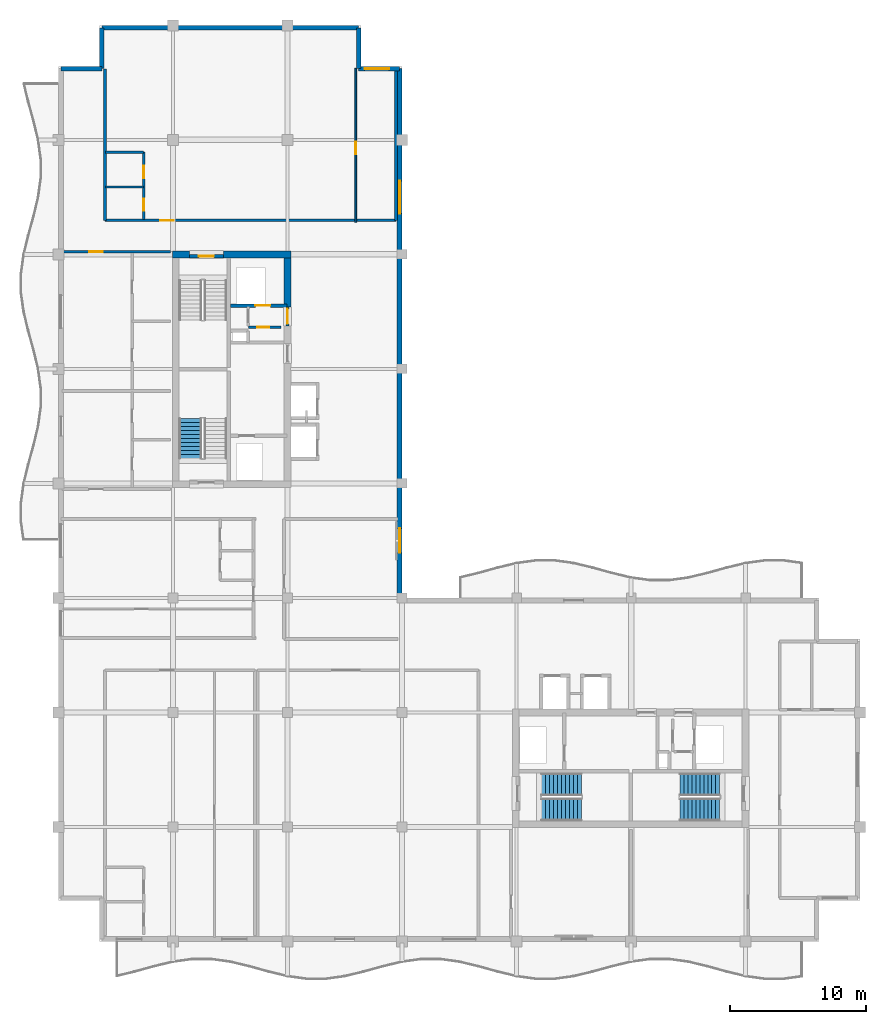
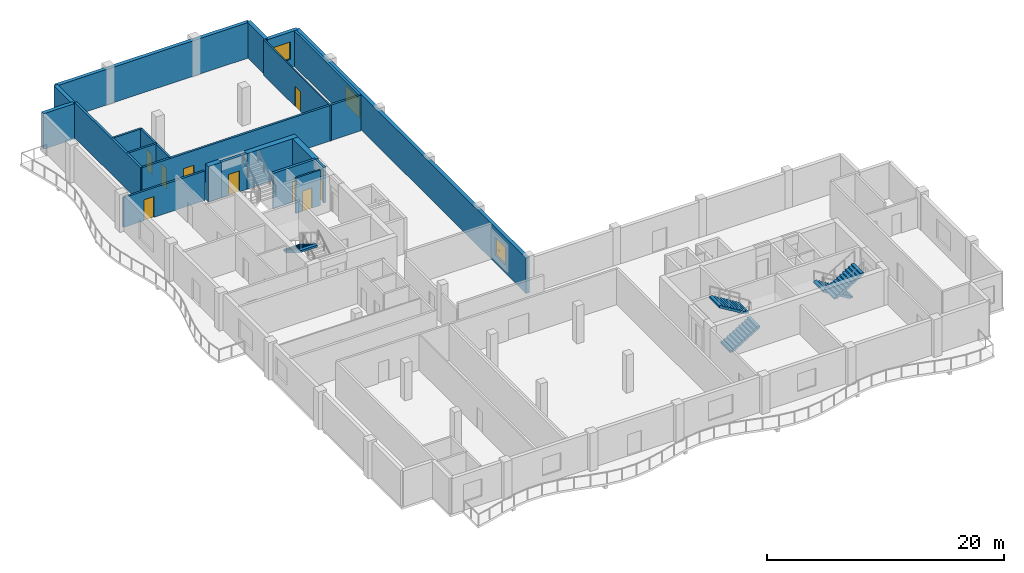
# One storey, part 7 of 11: 21 walls, 9 doors, 5 stair flights, 3 windows, 12 openings, 3 elements without a shape of their own.
"""IFC4 building model written with IfcOpenShell, lengths in metres."""

from ifc_helpers import new_model, si_unit, direction, frame, frame_2d, origin, place, context, subcontext, project, spatial, polyline, rectangle, outline, extrude, material, layer, layer_set, type_object, element, fill, aggregate, save


model = new_model("IFC4")

# Units and contexts
model_context = context("Model", 3, precision=1e-05, world=origin(), true_north=direction((0.0, 1.0)))
body_context = subcontext(model_context, "Body", "Model", "MODEL_VIEW")
ifc_project = project(units=[si_unit("LENGTHUNIT", "METRE"), si_unit("AREAUNIT", "SQUARE_METRE"), si_unit("VOLUMEUNIT", "CUBIC_METRE"), si_unit("PLANEANGLEUNIT", "RADIAN"), si_unit("MASSUNIT", "GRAM", prefix="KILO")], contexts=[model_context])

# Site, building, storey
site_placement = place(None, origin())
site = spatial("IfcSite", under=ifc_project, at=site_placement, CompositionType="ELEMENT")
building_placement = place(site_placement, origin())
building = spatial("IfcBuilding", under=site, at=building_placement, Name="Koriwani Terraces Tower", CompositionType="ELEMENT")
storey_placement = place(building_placement, frame((0.0, 0.0, 343.699951171875)))
storey = spatial("IfcBuildingStorey", under=building, at=storey_placement, Name="L85", CompositionType="ELEMENT", Elevation=343.699951171875)

# Walls
ifc_material_1 = material(Name="Concrete C50/60", Category="concrete")
ifc_layer_1 = layer(ifc_material_1, 0.5, Name="Concrete C50/60")
ifc_layer_set_1 = layer_set([ifc_layer_1], Name="Concrete C50/60")
wall_type_1 = type_object("IfcWallType", Name="WALL_CORE_RC_500", PredefinedType="SHEAR", material=ifc_layer_set_1)
wall_1_placement = place(storey_placement, frame((16.75, 58.800048828125, 0.0), z_axis=(0.0, 0.0, 1.0), x_axis=(1.0, 0.0, 0.0)))
element("IfcWall", 1, at=wall_1_placement, inside=storey, type_object=wall_type_1, Name="L85 West Split Core Shear Wall N1", PredefinedType="SHEAR", context=body_context, shape_type="SweptSolid", body=[
    extrude(rectangle(XDim=1.25, YDim=0.5, at=frame_2d((0.625, 0.0))), origin(), (0.0, 0.0, 1.0), 3.670166015625),
])
wall_2_placement = place(storey_placement, frame((20.5, 58.800048828125, 0.0), z_axis=(0.0, 0.0, 1.0), x_axis=(1.0, 0.0, 0.0)))
element("IfcWall", 2, at=wall_2_placement, inside=storey, type_object=wall_type_1, Name="L85 West Split Core Shear Wall N2", PredefinedType="SHEAR", context=body_context, shape_type="SweptSolid", body=[
    extrude(rectangle(XDim=4.949951171875, YDim=0.5, at=frame_2d((2.47509765625, 0.0))), origin(), (0.0, 0.0, 1.0), 3.670166015625),
])
wall_3_placement = place(storey_placement, frame((25.199951171875, 54.949951171875, 0.0), z_axis=(0.0, 0.0, 1.0), x_axis=(0.0, 1.0, 0.0)))
element("IfcWall", 3, at=wall_3_placement, inside=storey, type_object=wall_type_1, Name="L85 West Split Core Shear Wall E3", PredefinedType="SHEAR", context=body_context, shape_type="SweptSolid", body=[
    extrude(rectangle(XDim=3.60009765625, YDim=0.5, at=frame_2d((1.800048828125, 0.0))), origin(), (0.0, 0.0, 1.0), 3.670166015625),
])

# Wall, opening, door
ifc_material_2 = material(Name="Autoclaved Cellular Concrete Blockwork", Category="masonry")
ifc_layer_2 = layer(ifc_material_2, 0.199951171875, Name="Autoclaved Cellular Concrete Blockwork")
ifc_layer_set_2 = layer_set([ifc_layer_2], Name="Autoclaved Cellular Concrete Blockwork")
wall_type_2 = type_object("IfcWallType", Name="WALL_CORRIDOR_200", PredefinedType="PARTITIONING", material=ifc_layer_set_2)
wall_4_placement = place(storey_placement, frame((8.64990234375, 59.0, 0.0), z_axis=(0.0, 0.0, 1.0), x_axis=(1.0, 0.0, 0.0)))
wall_4 = element("IfcWall", 4, at=wall_4_placement, inside=storey, type_object=wall_type_2, Name="L85 Interior Wall WRZ4-WN-L85", PredefinedType="PARTITIONING", context=body_context, shape_type="SweptSolid", body=[
    extrude(rectangle(XDim=7.9501953125, YDim=0.199951171875, at=frame_2d((3.97509765625, 0.0))), origin(), (0.0, 0.0, 1.0), 3.052978515625),
])
opening_1_placement = place(wall_4_placement, frame((2.0, 0.0, 0.0)))
opening_1 = element("IfcOpeningElement", 5, at=opening_1_placement, cuts=wall_4, Name="Opening D-05", PredefinedType="OPENING", context=body_context, shape_type="SweptSolid", body=[
    extrude(rectangle(XDim=1.0, YDim=2.14990234375, at=frame_2d((0.5, 1.074951171875))), frame((0.0, 0.10986328125, 0.0), z_axis=(0.0, -1.0, 0.0), x_axis=(1.0, 0.0, 0.0)), (0.0, 0.0, 1.0), 0.219970703125),
])
ifc_material_3 = material(Name="Architectural Oak Fire Door", Category="wood")
door_type_1 = type_object("IfcDoorType", Name="DOOR_SUITE_ENTRY_1000X2150", OperationType="NOTDEFINED", PredefinedType="DOOR", material=ifc_material_3)
door_1_placement = place(opening_1_placement, origin())
door_1 = element("IfcDoor", 6, at=door_1_placement, inside=storey, type_object=door_type_1, Name="Apartment 85RW2 Entrance Door", OperationType="SINGLE_SWING_LEFT", OverallHeight=2.14990234375, OverallWidth=1.0, PredefinedType="DOOR", context=body_context, shape_type="SweptSolid", body=[
    extrude(rectangle(XDim=1.0, YDim=2.14990234375, at=frame_2d((0.5, 1.074951171875))), frame((0.0, 0.02490234375, 0.0), z_axis=(0.0, -1.0, 0.0), x_axis=(1.0, 0.0, 0.0)), (0.0, 0.0, 1.0), 0.050048828125),
])
fill(opening_1, door_1)

wall_5_placement = place(storey_placement, frame((11.800048828125, 61.300048828125, 0.0), z_axis=(0.0, 0.0, 1.0), x_axis=(1.0, 0.0, 0.0)))
wall_5 = element("IfcWall", 7, at=wall_5_placement, inside=storey, type_object=wall_type_2, Name="L85 Interior Wall WGB-L85-NT-S", PredefinedType="PARTITIONING", context=body_context, shape_type="SweptSolid", body=[
    extrude(rectangle(XDim=21.349853515625, YDim=0.199951171875, at=frame_2d((10.6748046875, 0.0))), origin(), (0.0, 0.0, 1.0), 3.670166015625),
])
opening_2_placement = place(wall_5_placement, frame((4.050048828125, 0.0, 0.0)))
opening_2 = element("IfcOpeningElement", 8, at=opening_2_placement, cuts=wall_5, Name="Opening D-05", PredefinedType="OPENING", context=body_context, shape_type="SweptSolid", body=[
    extrude(rectangle(XDim=1.0, YDim=2.14990234375, at=frame_2d((0.5, 1.074951171875))), frame((0.0, 0.10986328125, 0.0), z_axis=(0.0, -1.0, 0.0), x_axis=(1.0, 0.0, 0.0)), (0.0, 0.0, 1.0), 0.219970703125),
])
door_2_placement = place(opening_2_placement, origin())
door_2 = element("IfcDoor", 9, at=door_2_placement, inside=storey, type_object=door_type_1, Name="Apartment 85NT Entrance Door", OperationType="SINGLE_SWING_LEFT", OverallHeight=2.14990234375, OverallWidth=1.0, PredefinedType="DOOR", context=body_context, shape_type="SweptSolid", body=[
    extrude(rectangle(XDim=1.0, YDim=2.14990234375, at=frame_2d((0.5, 1.074951171875))), frame((0.0, 0.02490234375, 0.0), z_axis=(0.0, -1.0, 0.0), x_axis=(1.0, 0.0, 0.0)), (0.0, 0.0, 1.0), 0.050048828125),
])
fill(opening_2, door_2)

# Walls
ifc_layer_3 = layer(ifc_material_2, 0.219970703125, Name="Autoclaved Cellular Concrete Blockwork")
ifc_layer_set_3 = layer_set([ifc_layer_3], Name="Autoclaved Cellular Concrete Blockwork")
wall_type_3 = type_object("IfcWallType", Name="WALL_DEMISING_220", PredefinedType="PARTITIONING", material=ifc_layer_set_3)
for number, where, z_axis, x_axis, name in (
    (10, (33.14990234375, 61.300048828125, 0.0), (0.0, 0.0, 1.0), (0.0, 1.0, 0.0), "L85 Interior Wall WGB-L85-NT-E"),
    (11, (11.800048828125, 61.300048828125, 0.0), (0.0, 0.0, 1.0), (0.0, 1.0, 0.0), "L85 Interior Wall WGB-L85-NT-W"),
):
    element("IfcWall", number, at=place(storey_placement, frame(where, z_axis=z_axis, x_axis=x_axis)), inside=storey, type_object=wall_type_3, Name=name, PredefinedType="PARTITIONING", context=body_context, shape_type="SweptSolid", body=[
        extrude(rectangle(XDim=11.099853515625, YDim=0.219970703125, at=frame_2d((5.5498046875, 0.0))), origin(), (0.0, 0.0, 1.0), 3.670166015625),
    ])
ifc_layer_4 = layer(ifc_material_1, 0.35009765625, Name="Concrete C50/60")
ifc_layer_set_4 = layer_set([ifc_layer_4], Name="Concrete C50/60")
wall_type_4 = type_object("IfcWallType", Name="WALL_EXT_BRUTALIST_350", PredefinedType="STANDARD", material=ifc_layer_set_4)
for number, where, z_axis, x_axis, name in (
    (12, (8.574951171875, 72.425048828125, 0.0), (0.0, 0.0, 1.0), (1.0, 0.0, 0.0), "L85 Fair-Faced Brutalist Exterior Wall (N3)"),
    (13, (11.574951171875, 72.425048828125, 0.0), (0.0, 0.0, 1.0), (0.0, 1.0, 0.0), "L85 Fair-Faced Brutalist Exterior Wall (N4)"),
):
    element("IfcWall", number, at=place(storey_placement, frame(where, z_axis=z_axis, x_axis=x_axis)), inside=storey, type_object=wall_type_4, Name=name, PredefinedType="STANDARD", context=body_context, shape_type="SweptSolid", body=[
        extrude(rectangle(XDim=3.0, YDim=0.35009765625, at=frame_2d((1.5, 0.0))), origin(), (0.0, 0.0, 1.0), 3.670166015625),
    ])
wall_6_placement = place(storey_placement, frame((11.574951171875, 75.425048828125, 0.0), z_axis=(0.0, 0.0, 1.0), x_axis=(1.0, 0.0, 0.0)))
element("IfcWall", 14, at=wall_6_placement, inside=storey, type_object=wall_type_4, Name="L85 Fair-Faced Brutalist Exterior Wall (N_TIP)", PredefinedType="STANDARD", context=body_context, shape_type="SweptSolid", body=[
    extrude(rectangle(XDim=18.85009765625, YDim=0.35009765625, at=frame_2d((9.425048828125, 0.0))), origin(), (0.0, 0.0, 1.0), 3.670166015625),
])
wall_7_placement = place(storey_placement, frame((30.425048828125, 75.425048828125, 0.0), z_axis=(0.0, 0.0, 1.0), x_axis=(0.0, -1.0, 0.0)))
element("IfcWall", 15, at=wall_7_placement, inside=storey, type_object=wall_type_4, Name="L85 Fair-Faced Brutalist Exterior Wall (N6)", PredefinedType="STANDARD", context=body_context, shape_type="SweptSolid", body=[
    extrude(rectangle(XDim=3.0, YDim=0.35009765625, at=frame_2d((1.5, 0.0))), origin(), (0.0, 0.0, 1.0), 3.670166015625),
])

# Wall, opening, window
wall_8_placement = place(storey_placement, frame((30.425048828125, 72.425048828125, 0.0), z_axis=(0.0, 0.0, 1.0), x_axis=(1.0, 0.0, 0.0)))
wall_8 = element("IfcWall", 16, at=wall_8_placement, inside=storey, type_object=wall_type_4, Name="L85 Fair-Faced Brutalist Exterior Wall (N7)", PredefinedType="STANDARD", context=body_context, shape_type="SweptSolid", body=[
    extrude(rectangle(XDim=3.0, YDim=0.35009765625, at=frame_2d((1.5, 0.0))), origin(), (0.0, 0.0, 1.0), 3.670166015625),
])
opening_3_placement = place(wall_8_placement, frame((0.4375, 0.0, 0.85009765625)))
opening_3 = element("IfcOpeningElement", 17, at=opening_3_placement, cuts=wall_8, Name="Opening W-04", PredefinedType="OPENING", context=body_context, shape_type="SweptSolid", body=[
    extrude(rectangle(XDim=1.800048828125, YDim=1.800048828125, at=frame_2d((0.89990234375, 0.89990234375))), frame((0.0, 0.18505859375, 0.0), z_axis=(0.0, -1.0, 0.0), x_axis=(1.0, 0.0, 0.0)), (0.0, 0.0, 1.0), 0.3701171875),
])
ifc_material_4 = material(Name="Tempered Laminated Low-E Glass", Category="glass")
window_type_1 = type_object("IfcWindowType", Name="WIN_RES_BED_1800X1800", PartitioningType="DOUBLE_PANEL_VERTICAL", PredefinedType="WINDOW", material=ifc_material_4)
window_1_placement = place(opening_3_placement, origin())
window_1 = element("IfcWindow", 18, at=window_1_placement, inside=storey, type_object=window_type_1, Name="L85 Exterior Window (N7-R43)", OverallHeight=1.800048828125, OverallWidth=1.800048828125, PartitioningType="SINGLE_PANEL", PredefinedType="WINDOW", context=body_context, shape_type="SweptSolid", body=[
    extrude(rectangle(XDim=1.800048828125, YDim=1.800048828125, at=frame_2d((0.89990234375, 0.89990234375))), frame((0.0, 0.030029296875, 0.0), z_axis=(0.0, -1.0, 0.0), x_axis=(1.0, 0.0, 0.0)), (0.0, 0.0, 1.0), 0.06005859375),
])
fill(opening_3, window_1)

# Wall, openings, windows
wall_9_placement = place(storey_placement, frame((33.425048828125, 72.425048828125, 0.0), z_axis=(0.0, 0.0, 1.0), x_axis=(0.0, -1.0, 0.0)))
wall_9 = element("IfcWall", 19, at=wall_9_placement, inside=storey, type_object=wall_type_4, Name="L85 Fair-Faced Brutalist Exterior Wall (NW_IN)", PredefinedType="STANDARD", context=body_context, shape_type="SweptSolid", body=[
    extrude(rectangle(XDim=39.0, YDim=0.35009765625, at=frame_2d((19.5, 0.0))), origin(), (0.0, 0.0, 1.0), 3.670166015625),
])
opening_4_placement = place(wall_9_placement, frame((33.72509765625, 0.0, 0.85009765625)))
opening_4 = element("IfcOpeningElement", 20, at=opening_4_placement, cuts=wall_9, Name="Opening W-04", PredefinedType="OPENING", context=body_context, shape_type="SweptSolid", body=[
    extrude(rectangle(XDim=1.800048828125, YDim=1.800048828125, at=frame_2d((0.89990234375, 0.89990234375))), frame((0.0, 0.18505859375, 0.0), z_axis=(0.0, -1.0, 0.0), x_axis=(1.0, 0.0, 0.0)), (0.0, 0.0, 1.0), 0.3701171875),
])
opening_5_placement = place(wall_9_placement, frame((8.22509765625, 0.0, 0.85009765625)))
opening_5 = element("IfcOpeningElement", 21, at=opening_5_placement, cuts=wall_9, Name="Opening W-03", PredefinedType="OPENING", context=body_context, shape_type="SweptSolid", body=[
    extrude(rectangle(XDim=2.39990234375, YDim=1.949951171875, at=frame_2d((1.199951171875, 0.97509765625))), frame((0.0, 0.18505859375, 0.0), z_axis=(0.0, -1.0, 0.0), x_axis=(1.0, 0.0, 0.0)), (0.0, 0.0, 1.0), 0.3701171875),
])
window_2_placement = place(opening_4_placement, origin())
window_2 = element("IfcWindow", 22, at=window_2_placement, inside=storey, type_object=window_type_1, Name="L85 Exterior Window (NW_IN-2)", OverallHeight=1.800048828125, OverallWidth=1.800048828125, PartitioningType="SINGLE_PANEL", PredefinedType="WINDOW", context=body_context, shape_type="SweptSolid", body=[
    extrude(rectangle(XDim=1.800048828125, YDim=1.800048828125, at=frame_2d((0.89990234375, 0.89990234375))), frame((0.0, 0.030029296875, 0.0), z_axis=(0.0, -1.0, 0.0), x_axis=(1.0, 0.0, 0.0)), (0.0, 0.0, 1.0), 0.06005859375),
])
fill(opening_4, window_2)
window_type_2 = type_object("IfcWindowType", Name="WIN_RES_LIVING_2400X1950", PartitioningType="DOUBLE_PANEL_VERTICAL", PredefinedType="WINDOW", material=ifc_material_4)
window_3_placement = place(opening_5_placement, origin())
window_3 = element("IfcWindow", 23, at=window_3_placement, inside=storey, type_object=window_type_2, Name="L85 Exterior Window (NW_IN-11)", OverallHeight=1.949951171875, OverallWidth=2.39990234375, PartitioningType="SINGLE_PANEL", PredefinedType="WINDOW", context=body_context, shape_type="SweptSolid", body=[
    extrude(rectangle(XDim=2.39990234375, YDim=1.949951171875, at=frame_2d((1.199951171875, 0.97509765625))), frame((0.0, 0.030029296875, 0.0), z_axis=(0.0, -1.0, 0.0), x_axis=(1.0, 0.0, 0.0)), (0.0, 0.0, 1.0), 0.06005859375),
])
fill(opening_5, window_3)

# Wall, opening, door
ifc_material_5 = material(Name="Fire-Rated Acoustic Gypsum Partition", Category="masonry")
ifc_layer_5 = layer(ifc_material_5, 0.125, Name="Fire-Rated Acoustic Gypsum Partition")
ifc_layer_set_5 = layer_set([ifc_layer_5], Name="Fire-Rated Acoustic Gypsum Partition")
wall_type_5 = type_object("IfcWallType", Name="WALL_INT_125", PredefinedType="PARTITIONING", material=ifc_layer_set_5)
wall_10_placement = place(storey_placement, frame((30.199951171875, 61.14990234375, 0.0), z_axis=(0.0, 0.0, 1.0), x_axis=(0.0, 1.0, 0.0)))
wall_10 = element("IfcWall", 24, at=wall_10_placement, inside=storey, type_object=wall_type_5, Name="L85 Interior Wall WGB-L85-NT-BD", PredefinedType="PARTITIONING", context=body_context, shape_type="SweptSolid", body=[
    extrude(rectangle(XDim=11.300048828125, YDim=0.125, at=frame_2d((5.64990234375, 0.0))), origin(), (0.0, 0.0, 1.0), 3.670166015625),
])
opening_6_placement = place(wall_10_placement, frame((4.9951171875, 0.0, 0.0)))
opening_6 = element("IfcOpeningElement", 25, at=opening_6_placement, cuts=wall_10, Name="Opening D-06", PredefinedType="OPENING", context=body_context, shape_type="SweptSolid", body=[
    extrude(rectangle(XDim=0.919921875, YDim=2.10009765625, at=frame_2d((0.4599609375, 1.050048828125))), frame((0.0, 0.072509765625, 0.0), z_axis=(0.0, -1.0, 0.0), x_axis=(1.0, 0.0, 0.0)), (0.0, 0.0, 1.0), 0.14501953125),
])
door_type_2 = type_object("IfcDoorType", Name="DOOR_ROOM_INT_920X2100", OperationType="NOTDEFINED", PredefinedType="DOOR", material=ifc_material_3)
door_3_placement = place(opening_6_placement, origin())
door_3 = element("IfcDoor", 26, at=door_3_placement, inside=storey, type_object=door_type_2, Name="Apartment 85NT Master Suite Door", OperationType="SINGLE_SWING_RIGHT", OverallHeight=2.10009765625, OverallWidth=0.919921875, PredefinedType="DOOR", context=body_context, shape_type="SweptSolid", body=[
    extrude(rectangle(XDim=0.919921875, YDim=2.10009765625, at=frame_2d((0.4599609375, 1.050048828125))), frame((0.0, 0.02490234375, 0.0), z_axis=(0.0, -1.0, 0.0), x_axis=(1.0, 0.0, 0.0)), (0.0, 0.0, 1.0), 0.050048828125),
])
fill(opening_6, door_3)

# Wall, openings, doors
ifc_layer_6 = layer(ifc_material_5, 0.179931640625, Name="Fire-Rated Acoustic Gypsum Partition")
ifc_layer_set_6 = layer_set([ifc_layer_6], Name="Fire-Rated Acoustic Gypsum Partition")
wall_type_6 = type_object("IfcWallType", Name="WALL_PLUMBING_180", PredefinedType="PLUMBINGWALL", material=ifc_layer_set_6)
wall_11_placement = place(storey_placement, frame((14.64990234375, 61.35009765625, 0.0), z_axis=(0.0, 0.0, 1.0), x_axis=(0.0, 1.0, 0.0)))
wall_11 = element("IfcWall", 27, at=wall_11_placement, inside=storey, type_object=wall_type_6, Name="L85 Interior Wall WGB-L85-NT-SVB", PredefinedType="PLUMBINGWALL", context=body_context, shape_type="SweptSolid", body=[
    extrude(rectangle(XDim=4.949951171875, YDim=0.179931640625, at=frame_2d((2.47509765625, 0.0))), origin(), (0.0, 0.0, 1.0), 3.670166015625),
])
opening_7_placement = place(wall_11_placement, frame((0.64990234375, 0.0, 0.0)))
opening_7 = element("IfcOpeningElement", 28, at=opening_7_placement, cuts=wall_11, Name="Opening D-07", PredefinedType="OPENING", context=body_context, shape_type="SweptSolid", body=[
    extrude(rectangle(XDim=0.89990234375, YDim=2.10009765625, at=frame_2d((0.449951171875, 1.050048828125))), frame((0.0, 0.10009765625, 0.0), z_axis=(0.0, -1.0, 0.0), x_axis=(1.0, 0.0, 0.0)), (0.0, 0.0, 1.0), 0.199951171875),
])
opening_8_placement = place(wall_11_placement, frame((3.050048828125, 0.0, 0.0)))
opening_8 = element("IfcOpeningElement", 29, at=opening_8_placement, cuts=wall_11, Name="Opening D-06", PredefinedType="OPENING", context=body_context, shape_type="SweptSolid", body=[
    extrude(rectangle(XDim=0.919921875, YDim=2.10009765625, at=frame_2d((0.4599609375, 1.050048828125))), frame((0.0, 0.10009765625, 0.0), z_axis=(0.0, -1.0, 0.0), x_axis=(1.0, 0.0, 0.0)), (0.0, 0.0, 1.0), 0.199951171875),
])
door_type_3 = type_object("IfcDoorType", Name="DOOR_BATH_INT_900X2100", OperationType="NOTDEFINED", PredefinedType="DOOR", material=ifc_material_3)
door_4_placement = place(opening_7_placement, origin())
door_4 = element("IfcDoor", 30, at=door_4_placement, inside=storey, type_object=door_type_3, Name="Apartment 85NT Bathroom Door", OperationType="SINGLE_SWING_RIGHT", OverallHeight=2.10009765625, OverallWidth=0.89990234375, PredefinedType="DOOR", context=body_context, shape_type="SweptSolid", body=[
    extrude(rectangle(XDim=0.89990234375, YDim=2.10009765625, at=frame_2d((0.449951171875, 1.050048828125))), frame((0.0, 0.02490234375, 0.0), z_axis=(0.0, -1.0, 0.0), x_axis=(1.0, 0.0, 0.0)), (0.0, 0.0, 1.0), 0.050048828125),
])
fill(opening_7, door_4)
door_5_placement = place(opening_8_placement, origin())
door_5 = element("IfcDoor", 31, at=door_5_placement, inside=storey, type_object=door_type_2, Name="Apartment 85NT Kitchen Door", OperationType="SINGLE_SWING_LEFT", OverallHeight=2.10009765625, OverallWidth=0.919921875, PredefinedType="DOOR", context=body_context, shape_type="SweptSolid", body=[
    extrude(rectangle(XDim=0.919921875, YDim=2.10009765625, at=frame_2d((0.4599609375, 1.050048828125))), frame((0.0, 0.02490234375, 0.0), z_axis=(0.0, -1.0, 0.0), x_axis=(1.0, 0.0, 0.0)), (0.0, 0.0, 1.0), 0.050048828125),
])
fill(opening_8, door_5)

# Walls
for number, where, z_axis, x_axis, name in (
    (32, (11.85009765625, 63.75, 0.0), (0.0, 0.0, 1.0), (1.0, 0.0, 0.0), "L85 Interior Wall WGB-L85-NT-SVM"),
    (33, (11.85009765625, 66.300048828125, 0.0), (0.0, 0.0, 1.0), (1.0, 0.0, 0.0), "L85 Interior Wall WGB-L85-NT-SV2"),
):
    element("IfcWall", number, at=place(storey_placement, frame(where, z_axis=z_axis, x_axis=x_axis)), inside=storey, type_object=wall_type_6, Name=name, PredefinedType="PLUMBINGWALL", context=body_context, shape_type="SweptSolid", body=[
        extrude(rectangle(XDim=2.7998046875, YDim=0.179931640625, at=frame_2d((1.39990234375, 0.0))), origin(), (0.0, 0.0, 1.0), 3.670166015625),
    ])

# Wall, opening, door
ifc_material_6 = material(Name="Concrete C40/50", Category="concrete")
ifc_layer_7 = layer(ifc_material_6, 0.25, Name="Concrete C40/50")
ifc_layer_set_7 = layer_set([ifc_layer_7], Name="Concrete C40/50")
wall_type_7 = type_object("IfcWallType", Name="WALL_SHAFT_RATED_250", PredefinedType="SOLIDWALL", material=ifc_layer_set_7)
wall_12_placement = place(storey_placement, frame((18.0, 58.675048828125, 0.0), z_axis=(0.0, 0.0, 1.0), x_axis=(1.0, 0.0, 0.0)))
wall_12 = element("IfcWall", 34, at=wall_12_placement, inside=storey, type_object=wall_type_7, Name="L85 Interior Wall WIN-CW-L85-STN", PredefinedType="SOLIDWALL", context=body_context, shape_type="SweptSolid", body=[
    extrude(rectangle(XDim=2.5, YDim=0.25, at=frame_2d((1.25, 0.0))), origin(), (0.0, 0.0, 1.0), 3.670166015625),
])
opening_9_placement = place(wall_12_placement, frame((0.699951171875, 0.0, 0.0)))
opening_9 = element("IfcOpeningElement", 35, at=opening_9_placement, cuts=wall_12, Name="Opening D-03", PredefinedType="OPENING", context=body_context, shape_type="SweptSolid", body=[
    extrude(rectangle(XDim=1.10009765625, YDim=2.14990234375, at=frame_2d((0.550048828125, 1.074951171875))), frame((0.0, 0.135009765625, 0.0), z_axis=(0.0, -1.0, 0.0), x_axis=(1.0, 0.0, 0.0)), (0.0, 0.0, 1.0), 0.27001953125),
])
ifc_material_7 = material(Name="Steel ASTM A572 Grade 50", Category="steel")
door_type_4 = type_object("IfcDoorType", Name="DOOR_STAIR_FIRE_1100X2150", OperationType="NOTDEFINED", PredefinedType="DOOR", material=ifc_material_7)
door_6_placement = place(opening_9_placement, origin())
door_6 = element("IfcDoor", 36, at=door_6_placement, inside=storey, type_object=door_type_4, Name="L85 Exit Stair ST-W2 Door", OperationType="SINGLE_SWING_RIGHT", OverallHeight=2.14990234375, OverallWidth=1.10009765625, PredefinedType="DOOR", context=body_context, shape_type="SweptSolid", body=[
    extrude(rectangle(XDim=1.10009765625, YDim=2.14990234375, at=frame_2d((0.550048828125, 1.074951171875))), frame((0.0, 0.02490234375, 0.0), z_axis=(0.0, -1.0, 0.0), x_axis=(1.0, 0.0, 0.0)), (0.0, 0.0, 1.0), 0.050048828125),
])
fill(opening_9, door_6)

wall_13_placement = place(storey_placement, frame((21.0, 55.050048828125, 0.0), z_axis=(0.0, 0.0, 1.0), x_axis=(1.0, 0.0, 0.0)))
wall_13 = element("IfcWall", 37, at=wall_13_placement, inside=storey, type_object=wall_type_7, Name="L85 Interior Wall WIN-CW-L85-SE", PredefinedType="SOLIDWALL", context=body_context, shape_type="SweptSolid", body=[
    extrude(rectangle(XDim=4.14990234375, YDim=0.25, at=frame_2d((2.074951171875, 0.0))), origin(), (0.0, 0.0, 1.0), 3.670166015625),
])
opening_10_placement = place(wall_13_placement, frame((1.85009765625, 0.0, 0.0)))
opening_10 = element("IfcOpeningElement", 38, at=opening_10_placement, cuts=wall_13, Name="Opening LD-01", PredefinedType="OPENING", context=body_context, shape_type="SweptSolid", body=[
    extrude(rectangle(XDim=1.10009765625, YDim=2.14990234375, at=frame_2d((0.550048828125, 1.074951171875))), frame((0.0, 0.135009765625, 0.0), z_axis=(0.0, -1.0, 0.0), x_axis=(1.0, 0.0, 0.0)), (0.0, 0.0, 1.0), 0.27001953125),
])
door_type_5 = type_object("IfcDoorType", Name="DOOR_LIFT_LANDING_1100X2200", OperationType="NOTDEFINED", PredefinedType="DOOR", material=ifc_material_7)
door_7_placement = place(opening_10_placement, origin())
door_7 = element("IfcDoor", 39, at=door_7_placement, inside=storey, type_object=door_type_5, Name="L85 Goods Lift SE-01 Landing Door", OperationType="SLIDING_TO_LEFT", OverallHeight=2.14990234375, OverallWidth=1.10009765625, PredefinedType="DOOR", context=body_context, shape_type="SweptSolid", body=[
    extrude(rectangle(XDim=1.10009765625, YDim=2.14990234375, at=frame_2d((0.550048828125, 1.074951171875))), frame((0.0, 0.02490234375, 0.0), z_axis=(0.0, -1.0, 0.0), x_axis=(1.0, 0.0, 0.0)), (0.0, 0.0, 1.0), 0.050048828125),
])
fill(opening_10, door_7)

wall_14_placement = place(storey_placement, frame((25.199951171875, 53.550048828125, 0.0), z_axis=(0.0, 0.0, 1.0), x_axis=(0.0, 1.0, 0.0)))
wall_14 = element("IfcWall", 40, at=wall_14_placement, inside=storey, type_object=wall_type_7, Name="L85 Interior Wall WIN-CW-L85-EP2", PredefinedType="SOLIDWALL", context=body_context, shape_type="SweptSolid", body=[
    extrude(rectangle(XDim=1.39990234375, YDim=0.25, at=frame_2d((0.699951171875, 0.0))), origin(), (0.0, 0.0, 1.0), 3.670166015625),
])
opening_11_placement = place(wall_14_placement, frame((0.14990234375, 0.0, 0.0)))
opening_11 = element("IfcOpeningElement", 41, at=opening_11_placement, cuts=wall_14, Name="Opening D-03", PredefinedType="OPENING", context=body_context, shape_type="SweptSolid", body=[
    extrude(rectangle(XDim=1.10009765625, YDim=2.14990234375, at=frame_2d((0.550048828125, 1.074951171875))), frame((0.0, 0.135009765625, 0.0), z_axis=(0.0, -1.0, 0.0), x_axis=(1.0, 0.0, 0.0)), (0.0, 0.0, 1.0), 0.27001953125),
])
door_8_placement = place(opening_11_placement, origin())
door_8 = element("IfcDoor", 42, at=door_8_placement, inside=storey, type_object=door_type_4, Name="L85 West Goods Lift Lobby Door", OperationType="SINGLE_SWING_RIGHT", OverallHeight=2.14990234375, OverallWidth=1.10009765625, PredefinedType="DOOR", context=body_context, shape_type="SweptSolid", body=[
    extrude(rectangle(XDim=1.10009765625, YDim=2.14990234375, at=frame_2d((0.550048828125, 1.074951171875))), frame((0.0, 0.02490234375, 0.0), z_axis=(0.0, -1.0, 0.0), x_axis=(1.0, 0.0, 0.0)), (0.0, 0.0, 1.0), 0.050048828125),
])
fill(opening_11, door_8)

ifc_layer_8 = layer(ifc_material_5, 0.159912109375, Name="Fire-Rated Acoustic Gypsum Partition")
ifc_layer_set_8 = layer_set([ifc_layer_8], Name="Fire-Rated Acoustic Gypsum Partition")
wall_type_8 = type_object("IfcWallType", Name="WALL_SUITE_160", PredefinedType="PARTITIONING", material=ifc_layer_set_8)
wall_15_placement = place(storey_placement, frame((22.320068359375, 53.4599609375, 0.0), z_axis=(0.0, 0.0, 1.0), x_axis=(1.0, 0.0, 0.0)))
wall_15 = element("IfcWall", 43, at=wall_15_placement, inside=storey, type_object=wall_type_8, Name="L85 Interior Wall WIN-CW-L85-SV1B", PredefinedType="PARTITIONING", context=body_context, shape_type="SweptSolid", body=[
    extrude(rectangle(XDim=2.39990234375, YDim=0.159912109375, at=frame_2d((1.199951171875, 0.0))), origin(), (0.0, 0.0, 1.0), 3.670166015625),
])
opening_12_placement = place(wall_15_placement, frame((0.64990234375, 0.0, 0.0)))
opening_12 = element("IfcOpeningElement", 44, at=opening_12_placement, cuts=wall_15, Name="Opening D-07", PredefinedType="OPENING", context=body_context, shape_type="SweptSolid", body=[
    extrude(rectangle(XDim=0.89990234375, YDim=2.10009765625, at=frame_2d((0.449951171875, 1.050048828125))), frame((0.0, 0.08984375, 0.0), z_axis=(0.0, -1.0, 0.0), x_axis=(1.0, 0.0, 0.0)), (0.0, 0.0, 1.0), 0.179931640625),
])
door_9_placement = place(opening_12_placement, origin())
door_9 = element("IfcDoor", 45, at=door_9_placement, inside=storey, type_object=door_type_3, Name="L85 West Cleaners Closet Door", OperationType="SINGLE_SWING_RIGHT", OverallHeight=2.10009765625, OverallWidth=0.89990234375, PredefinedType="DOOR", context=body_context, shape_type="SweptSolid", body=[
    extrude(rectangle(XDim=0.89990234375, YDim=2.10009765625, at=frame_2d((0.449951171875, 1.050048828125))), frame((0.0, 0.02490234375, 0.0), z_axis=(0.0, -1.0, 0.0), x_axis=(1.0, 0.0, 0.0)), (0.0, 0.0, 1.0), 0.050048828125),
])
fill(opening_12, door_9)

# Stair, stair flight
stair_type = type_object("IfcStairType", Name="STAIR_CORE_DOGLEG_1650", PredefinedType="TWO_STRAIGHT_RUN_STAIR", material=ifc_material_6)
stair_1_placement = place(storey_placement, origin())
stair_1 = element("IfcStair", 46, at=stair_1_placement, inside=storey, type_object=stair_type, Name="L85 West Core Exit Stair 1", PredefinedType="HALF_TURN_STAIR")
stair_flight_type = type_object("IfcStairFlightType", Name="STAIR_FLIGHT_RC_1650", PredefinedType="STRAIGHT", material=ifc_material_6)
stair_flight_1_placement = place(storey_placement, frame((18.074951171875, 46.75, 1.949951171875), z_axis=(0.0, 0.0, 1.0), x_axis=(0.0, -1.0, 0.0)))
stair_flight_1 = element("IfcStairFlight", 47, at=stair_flight_1_placement, type_object=stair_flight_type, Name="ST-W1 flight 2", NumberOfRisers=11, NumberOfTreads=10, PredefinedType="STRAIGHT", RiserHeight=0.177272727, TreadLength=0.29, context=body_context, shape_type="SweptSolid", body=[
    extrude(outline(polyline([(0.0, 0.0), (0.0, 0.17724609375), (0.2900390625, 0.17724609375), (0.2900390625, 0.3544921875), (0.580078125, 0.3544921875), (0.580078125, 0.53173828125), (0.8701171875, 0.53173828125), (0.8701171875, 0.708984375), (1.159912109375, 0.708984375), (1.159912109375, 0.886474609375), (1.449951171875, 0.886474609375), (1.449951171875, 1.063720703125), (1.739990234375, 1.063720703125), (1.739990234375, 1.240966796875), (2.030029296875, 1.240966796875), (2.030029296875, 1.418212890625), (2.320068359375, 1.418212890625), (2.320068359375, 1.595458984375), (2.610107421875, 1.595458984375), (2.610107421875, 1.772705078125), (2.89990234375, 1.772705078125), (2.89990234375, 1.949951171875), (2.89990234375, 1.561767578125), (0.344970703125, 0.0), (0.0, 0.0)])), frame((0.0, 0.824951171875, 0.0), z_axis=(0.0, -1.0, 0.0), x_axis=(1.0, 0.0, 0.0)), (0.0, 0.0, 1.0), 1.64990234375),
])
aggregate(stair_1, [stair_flight_1])

# Stair, stair flights
stair_2_placement = place(storey_placement, origin())
stair_2 = element("IfcStair", 48, at=stair_2_placement, inside=storey, type_object=stair_type, Name="L85 East Core Exit Stair 1", PredefinedType="HALF_TURN_STAIR")
stair_flight_2_placement = place(storey_placement, frame((43.85009765625, 18.074951171875, 0.0), z_axis=(0.0, 0.0, 1.0), x_axis=(1.0, 0.0, 0.0)))
stair_flight_2 = element("IfcStairFlight", 49, at=stair_flight_2_placement, type_object=stair_flight_type, Name="ST-E1 flight 1", NumberOfRisers=11, NumberOfTreads=10, PredefinedType="STRAIGHT", RiserHeight=0.177272727, TreadLength=0.29, context=body_context, shape_type="SweptSolid", body=[
    extrude(outline(polyline([(0.0, 0.0), (0.0, 0.17724609375), (0.2900390625, 0.17724609375), (0.2900390625, 0.3544921875), (0.580078125, 0.3544921875), (0.580078125, 0.53173828125), (0.8701171875, 0.53173828125), (0.8701171875, 0.708984375), (1.159912109375, 0.708984375), (1.159912109375, 0.886474609375), (1.449951171875, 0.886474609375), (1.449951171875, 1.063720703125), (1.739990234375, 1.063720703125), (1.739990234375, 1.240966796875), (2.030029296875, 1.240966796875), (2.030029296875, 1.418212890625), (2.320068359375, 1.418212890625), (2.320068359375, 1.595458984375), (2.610107421875, 1.595458984375), (2.610107421875, 1.772705078125), (2.89990234375, 1.772705078125), (2.89990234375, 1.949951171875), (2.89990234375, 1.561767578125), (0.344970703125, 0.0), (0.0, 0.0)])), frame((0.0, 0.824951171875, 0.0), z_axis=(0.0, -1.0, 0.0), x_axis=(1.0, 0.0, 0.0)), (0.0, 0.0, 1.0), 1.64990234375),
])
stair_flight_3_placement = place(storey_placement, frame((46.75, 19.925048828125, 1.949951171875), z_axis=(0.0, 0.0, 1.0), x_axis=(-1.0, 0.0, 0.0)))
stair_flight_3 = element("IfcStairFlight", 50, at=stair_flight_3_placement, type_object=stair_flight_type, Name="ST-E1 flight 2", NumberOfRisers=11, NumberOfTreads=10, PredefinedType="STRAIGHT", RiserHeight=0.177272727, TreadLength=0.29, context=body_context, shape_type="SweptSolid", body=[
    extrude(outline(polyline([(0.0, 0.0), (0.0, 0.17724609375), (0.2900390625, 0.17724609375), (0.2900390625, 0.3544921875), (0.580078125, 0.3544921875), (0.580078125, 0.53173828125), (0.8701171875, 0.53173828125), (0.8701171875, 0.708984375), (1.159912109375, 0.708984375), (1.159912109375, 0.886474609375), (1.449951171875, 0.886474609375), (1.449951171875, 1.063720703125), (1.739990234375, 1.063720703125), (1.739990234375, 1.240966796875), (2.030029296875, 1.240966796875), (2.030029296875, 1.418212890625), (2.320068359375, 1.418212890625), (2.320068359375, 1.595458984375), (2.610107421875, 1.595458984375), (2.610107421875, 1.772705078125), (2.89990234375, 1.772705078125), (2.89990234375, 1.949951171875), (2.89990234375, 1.561767578125), (0.344970703125, 0.0), (0.0, 0.0)])), frame((0.0, 0.824951171875, 0.0), z_axis=(0.0, -1.0, 0.0), x_axis=(1.0, 0.0, 0.0)), (0.0, 0.0, 1.0), 1.64990234375),
])
aggregate(stair_2, [stair_flight_2, stair_flight_3])

stair_3_placement = place(storey_placement, origin())
stair_3 = element("IfcStair", 51, at=stair_3_placement, inside=storey, type_object=stair_type, Name="L85 East Core Exit Stair 2", PredefinedType="HALF_TURN_STAIR")
stair_flight_4_placement = place(storey_placement, frame((56.89990234375, 19.925048828125, 0.0), z_axis=(0.0, 0.0, 1.0), x_axis=(-1.0, 0.0, 0.0)))
stair_flight_4 = element("IfcStairFlight", 52, at=stair_flight_4_placement, type_object=stair_flight_type, Name="ST-E2 flight 1", NumberOfRisers=11, NumberOfTreads=10, PredefinedType="STRAIGHT", RiserHeight=0.177272727, TreadLength=0.29, context=body_context, shape_type="SweptSolid", body=[
    extrude(outline(polyline([(0.0, 0.0), (0.0, 0.17724609375), (0.2900390625, 0.17724609375), (0.2900390625, 0.3544921875), (0.580078125, 0.3544921875), (0.580078125, 0.53173828125), (0.8701171875, 0.53173828125), (0.8701171875, 0.708984375), (1.159912109375, 0.708984375), (1.159912109375, 0.886474609375), (1.449951171875, 0.886474609375), (1.449951171875, 1.063720703125), (1.739990234375, 1.063720703125), (1.739990234375, 1.240966796875), (2.030029296875, 1.240966796875), (2.030029296875, 1.418212890625), (2.320068359375, 1.418212890625), (2.320068359375, 1.595458984375), (2.610107421875, 1.595458984375), (2.610107421875, 1.772705078125), (2.89990234375, 1.772705078125), (2.89990234375, 1.949951171875), (2.89990234375, 1.561767578125), (0.344970703125, 0.0), (0.0, 0.0)])), frame((0.0, 0.824951171875, 0.0), z_axis=(0.0, -1.0, 0.0), x_axis=(1.0, 0.0, 0.0)), (0.0, 0.0, 1.0), 1.64990234375),
])
stair_flight_5_placement = place(storey_placement, frame((54.0, 18.074951171875, 1.949951171875), z_axis=(0.0, 0.0, 1.0), x_axis=(1.0, 0.0, 0.0)))
stair_flight_5 = element("IfcStairFlight", 53, at=stair_flight_5_placement, type_object=stair_flight_type, Name="ST-E2 flight 2", NumberOfRisers=11, NumberOfTreads=10, PredefinedType="STRAIGHT", RiserHeight=0.177272727, TreadLength=0.29, context=body_context, shape_type="SweptSolid", body=[
    extrude(outline(polyline([(0.0, 0.0), (0.0, 0.17724609375), (0.2900390625, 0.17724609375), (0.2900390625, 0.3544921875), (0.580078125, 0.3544921875), (0.580078125, 0.53173828125), (0.8701171875, 0.53173828125), (0.8701171875, 0.708984375), (1.159912109375, 0.708984375), (1.159912109375, 0.886474609375), (1.449951171875, 0.886474609375), (1.449951171875, 1.063720703125), (1.739990234375, 1.063720703125), (1.739990234375, 1.240966796875), (2.030029296875, 1.240966796875), (2.030029296875, 1.418212890625), (2.320068359375, 1.418212890625), (2.320068359375, 1.595458984375), (2.610107421875, 1.595458984375), (2.610107421875, 1.772705078125), (2.89990234375, 1.772705078125), (2.89990234375, 1.949951171875), (2.89990234375, 1.561767578125), (0.344970703125, 0.0), (0.0, 0.0)])), frame((0.0, 0.824951171875, 0.0), z_axis=(0.0, -1.0, 0.0), x_axis=(1.0, 0.0, 0.0)), (0.0, 0.0, 1.0), 1.64990234375),
])
aggregate(stair_3, [stair_flight_4, stair_flight_5])

save(model, "model.ifc")
